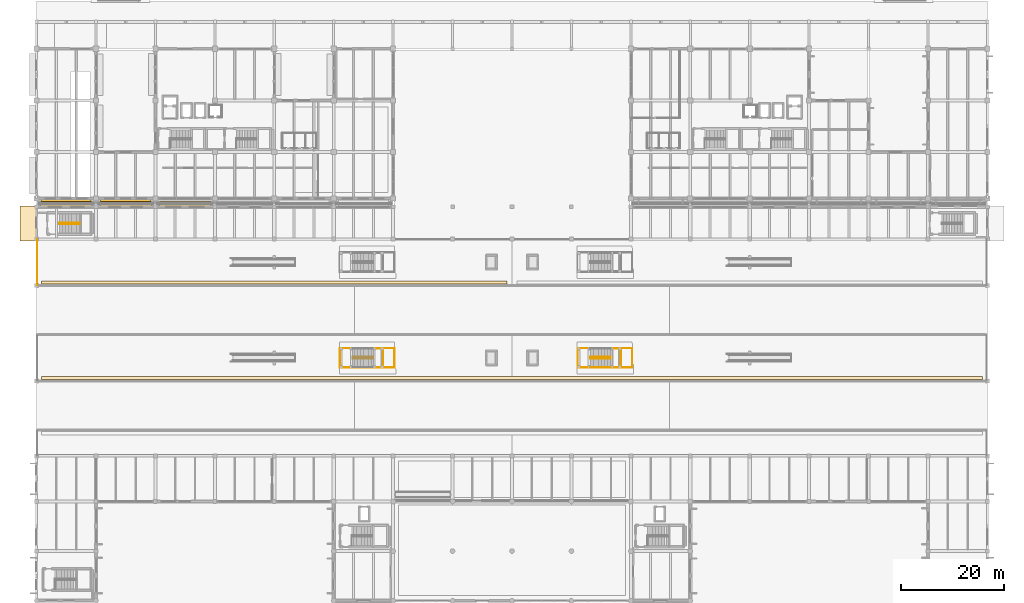
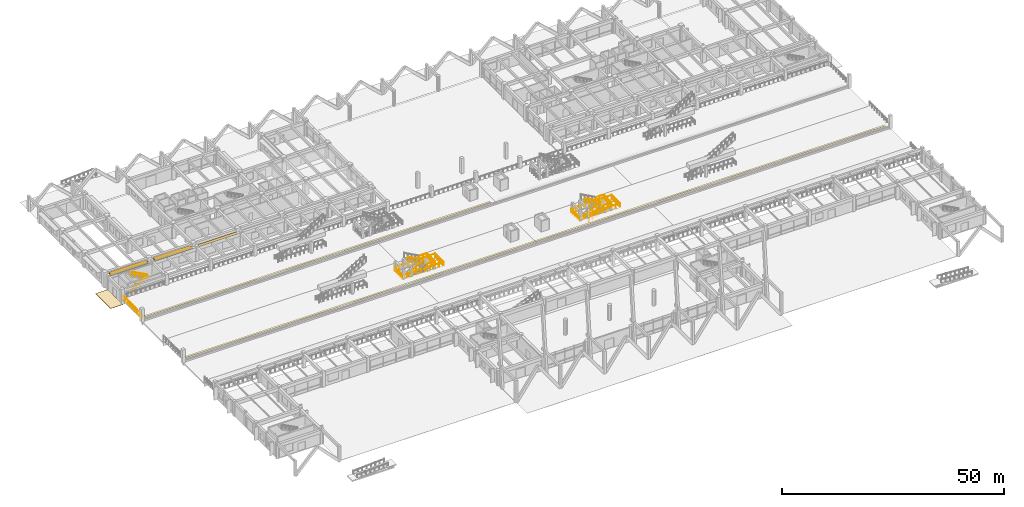
# One storey, part 101 of 109: 13 railings, 5 shading devices, 3 coverings.
"""IFC4 building model written with IfcOpenShell, lengths in metres."""

import ifcopenshell
import ifcopenshell.guid

model = None  # the IFC model being written
_history = None  # IfcOwnerHistory: only IFC2X3 demands one
_inside = {}  # id of a spatial element -> (the spatial element, [elements in it])
_under = {}  # id of a project, library or spatial element -> (it, [spatial elements below it])
_declared = {}  # id of a project -> (the project, [libraries it declares])
_typed = {}  # id of a type object -> (the type object, [elements of that type])
_made_of = {}  # id of a material, layer set ... -> (it, [elements and type objects made of it])


def new_model(schema):
    """Start an empty IFC model of exactly this schema.

    Asked for "IFC4X3", IfcOpenShell would pick the latest addendum, in which some entities
    have other attributes; the version numbers below select the first issue.
    IFC2X3 requires an IfcOwnerHistory on every rooted entity: one is made here for all.
    """
    global model, _history
    if schema == "IFC4X3":
        model = ifcopenshell.file(schema_version=(4, 3, 0, 0))
    else:
        model = ifcopenshell.file(schema=schema)
    _inside.clear()
    _under.clear()
    _declared.clear()
    _typed.clear()
    _made_of.clear()
    _history = None
    if model.schema == "IFC2X3":
        org = make("IfcOrganization", Name="unknown")
        user = make(
            "IfcPersonAndOrganization",
            ThePerson=make("IfcPerson", FamilyName="unknown"),
            TheOrganization=org,
        )
        app = make(
            "IfcApplication",
            ApplicationDeveloper=org,
            Version="unknown",
            ApplicationFullName="unknown",
            ApplicationIdentifier="unknown",
        )
        _history = make(
            "IfcOwnerHistory",
            OwningUser=user,
            OwningApplication=app,
            ChangeAction="ADDED",
            CreationDate=0,
        )
    return model


def make(cls, **values):
    """One entity of the class cls with the attributes given. An attribute that is None is left unset."""
    return model.create_entity(
        cls, **{name: value for name, value in values.items() if value is not None}
    )


def rooted(cls, **values):
    """An entity with a GlobalId (a new one), such as an element, a storey or a relation."""
    return make(cls, GlobalId=ifcopenshell.guid.new(), OwnerHistory=_history, **values)


def si_unit(unit_type, name, prefix=None):
    """IfcSIUnit, for example si_unit("LENGTHUNIT", "METRE", prefix="MILLI")."""
    return make("IfcSIUnit", UnitType=unit_type, Prefix=prefix, Name=name)


def assignment(units):
    """IfcUnitAssignment: the units of a project."""
    return None if units is None else make("IfcUnitAssignment", Units=units)


def point(xyz):
    """IfcCartesianPoint."""
    return None if xyz is None else make("IfcCartesianPoint", Coordinates=xyz)


def direction(xyz):
    """IfcDirection."""
    return None if xyz is None else make("IfcDirection", DirectionRatios=xyz)


def frame(location, z_axis=None, x_axis=None):
    """IfcAxis2Placement3D, a coordinate frame: its origin and axes. An axis left out is left unset."""
    return make(
        "IfcAxis2Placement3D",
        Location=point(location),
        Axis=direction(z_axis),
        RefDirection=direction(x_axis),
    )


def frame_2d(location, x_axis=None):
    """IfcAxis2Placement2D, a coordinate frame in the plane: its origin and x axis."""
    return make(
        "IfcAxis2Placement2D", Location=point(location), RefDirection=direction(x_axis)
    )


def origin():
    """The frame at (0, 0, 0) with its axes left unset."""
    return frame((0.0, 0.0, 0.0))


def origin_2d():
    """The frame at (0, 0) in the plane with its x axis left unset."""
    return frame_2d((0.0, 0.0))


def place(relative_to, where):
    """IfcLocalPlacement: puts the frame where relative to a parent placement (None: the world)."""
    return make(
        "IfcLocalPlacement", PlacementRelTo=relative_to, RelativePlacement=where
    )


def context(
    kind, dimensions, precision=None, world=None, true_north=None, identifier=None
):
    """IfcGeometricRepresentationContext, for example the 3D "Model" context."""
    return make(
        "IfcGeometricRepresentationContext",
        ContextIdentifier=identifier,
        ContextType=kind,
        CoordinateSpaceDimension=dimensions,
        Precision=precision,
        WorldCoordinateSystem=world,
        TrueNorth=true_north,
    )


def subcontext(parent, identifier, kind, view, scale=None):
    """IfcGeometricRepresentationSubContext, for example "Body" below "Model"."""
    return make(
        "IfcGeometricRepresentationSubContext",
        ContextIdentifier=identifier,
        ContextType=kind,
        ParentContext=parent,
        TargetScale=scale,
        TargetView=view,
    )


def project(units=None, contexts=None):
    """IfcProject with its units and contexts."""
    return rooted(
        "IfcProject",
        Name="project",
        RepresentationContexts=contexts,
        UnitsInContext=assignment(units),
    )


def spatial(cls, under=None, at=None, **own):
    """A site, building, storey or space (cls), placed at a placement, below another one or the project."""
    s = rooted(cls, ObjectPlacement=at, **own)
    if under is not None:
        _under.setdefault(under.id(), (under, []))[1].append(s)
    return s


def polyline(points):
    """IfcPolyline through the points."""
    return make("IfcPolyline", Points=[point(p) for p in points])


def profile(cls, at=None, kind="AREA", **sizes):
    """A parametric profile (cls). Its sizes go by their IFC names, for example OverallWidth=200.0."""
    return make(cls, ProfileType=kind, Position=at, **sizes)


def rectangle(**sizes):
    """IfcRectangleProfileDef."""
    return profile("IfcRectangleProfileDef", **sizes)


def circle(**sizes):
    """IfcCircleProfileDef."""
    return profile("IfcCircleProfileDef", **sizes)


def outline(outer, holes=None, kind="AREA"):
    """IfcArbitraryClosedProfileDef: a profile drawn as a closed curve; with holes, ...WithVoids."""
    if holes is None:
        return make("IfcArbitraryClosedProfileDef", ProfileType=kind, OuterCurve=outer)
    return make(
        "IfcArbitraryProfileDefWithVoids",
        ProfileType=kind,
        OuterCurve=outer,
        InnerCurves=holes,
    )


def extrude(swept, where, along, depth):
    """IfcExtrudedAreaSolid: the profile swept, set in the frame where, extruded along a direction by depth."""
    return make(
        "IfcExtrudedAreaSolid",
        SweptArea=swept,
        Position=where,
        ExtrudedDirection=direction(along),
        Depth=depth,
    )


def shape(context_of_items, identifier, shape_type, items):
    """IfcShapeRepresentation: the items that make up one representation, for example the "Body"."""
    return make(
        "IfcShapeRepresentation",
        ContextOfItems=context_of_items,
        RepresentationIdentifier=identifier,
        RepresentationType=shape_type,
        Items=items,
    )


def material(Name=None, Category=None):
    """IfcMaterial."""
    return make("IfcMaterial", Name=Name, Category=Category)


def layer(
    of_material, thickness, ventilated=None, Name=None, Category=None, Priority=None
):
    """IfcMaterialLayer: one layer of a wall or slab, of a material (None: an air gap)."""
    return make(
        "IfcMaterialLayer",
        Material=of_material,
        LayerThickness=thickness,
        IsVentilated=ventilated,
        Name=Name,
        Category=Category,
        Priority=Priority,
    )


def layer_set(layers, Name=None):
    """IfcMaterialLayerSet."""
    return make("IfcMaterialLayerSet", MaterialLayers=layers, LayerSetName=Name)


def made_of(thing, what):
    """Note that an element or type object is made of a material, layer set ...; save() writes the relation."""
    if what is not None:
        _made_of.setdefault(what.id(), (what, []))[1].append(thing)
    return thing


def type_object(cls, material=None, **own):
    """A type object (cls), such as IfcWallType, which elements share."""
    return made_of(rooted(cls, **own), material)


def element(
    cls,
    number,
    at=None,
    inside=None,
    cuts=None,
    type_object=None,
    material=None,
    context=None,
    identifier="Body",
    shape_type=None,
    held_by="IfcProductDefinitionShape",
    body=None,
    shapes=None,
    **own,
):
    """One element of the class cls, such as IfcWall. Its Tag is "e" and its number.

    at: its placement. inside: the storey or other place that contains it. cuts: it is an
    opening in that element (IfcRelVoidsElement). A single representation is given by context,
    identifier, shape_type and body (its items); several are given by shapes. held_by: the class
    of the entity that holds the representations. save() writes the other relations.
    """
    e = rooted(cls, Tag="e%d" % number, ObjectPlacement=at, **own)
    if body is not None:
        shapes = [shape(context, identifier, shape_type, body)]
    if shapes is not None:
        e.Representation = make(held_by, Representations=shapes)
    if inside is not None:
        _inside.setdefault(inside.id(), (inside, []))[1].append(e)
    if cuts is not None:
        rooted(
            "IfcRelVoidsElement", RelatingBuildingElement=cuts, RelatedOpeningElement=e
        )
    if type_object is not None:
        _typed.setdefault(type_object.id(), (type_object, []))[1].append(e)
    return made_of(e, material)


def aggregate(whole, parts):
    """IfcRelAggregates: a whole, such as a stair, and the parts it consists of."""
    return rooted("IfcRelAggregates", RelatingObject=whole, RelatedObjects=parts)


def save(model, path):
    """Write the relations noted so far, then the file.

    IfcRelAggregates (storeys below a building ...), IfcRelContainedInSpatialStructure (elements
    in a storey), IfcRelDefinesByType, IfcRelAssociatesMaterial and IfcRelDeclares: one each for
    every whole, place, type object, material and project.
    """
    for whole, parts in _under.values():
        aggregate(whole, parts)
    for where, things in _inside.values():
        rooted(
            "IfcRelContainedInSpatialStructure",
            RelatedElements=things,
            RelatingStructure=where,
        )
    for kind, things in _typed.values():
        rooted("IfcRelDefinesByType", RelatedObjects=things, RelatingType=kind)
    for what, things in _made_of.values():
        rooted("IfcRelAssociatesMaterial", RelatedObjects=things, RelatingMaterial=what)
    for by, libraries in _declared.values():
        rooted("IfcRelDeclares", RelatingContext=by, RelatedDefinitions=libraries)
    model.write(path)


model = new_model("IFC4")

# Units and contexts
model_context = context("Model", 3, precision=1e-05, world=origin(), true_north=direction((0.0, 1.0)))
body_context = subcontext(model_context, "Body", "Model", "MODEL_VIEW")
ifc_project = project(units=[si_unit("LENGTHUNIT", "METRE"), si_unit("AREAUNIT", "SQUARE_METRE"), si_unit("VOLUMEUNIT", "CUBIC_METRE"), si_unit("PLANEANGLEUNIT", "RADIAN"), si_unit("MASSUNIT", "GRAM", prefix="KILO")], contexts=[model_context])

# Site, building, storey
site_placement = place(None, origin())
site = spatial("IfcSite", under=ifc_project, at=site_placement, CompositionType="ELEMENT")
building_placement = place(site_placement, origin())
building = spatial("IfcBuilding", under=site, at=building_placement, Name="Ologun Quay Terminus", CompositionType="ELEMENT")
storey_placement = place(building_placement, origin())
storey = spatial("IfcBuildingStorey", under=building, at=storey_placement, Name="L00", CompositionType="ELEMENT", Elevation=0.0)

# Shading devices
ifc_material_1 = material(Name="Aluminium 6063-T6", Category="aluminium")
ifc_layer_1 = layer(ifc_material_1, 0.10009765625)
ifc_layer_set_1 = layer_set([ifc_layer_1], Name="Aluminium 6063-T6")
shading_device_type_1 = type_object("IfcShadingDeviceType", Name="Deep Waterfront Brise-Soleil Blade 1200", PredefinedType="JALOUSIE", material=ifc_layer_set_1)
for number, where, z_axis, x_axis, name in (
    (1, (5.75, 85.070068359375, 3.530029296875), (0.0, 0.0, 1.0), (1.0, 0.0, 0.0), "SD-02 Sun-Hood WEW-WW-O-L00-1"),
    (2, (17.25, 85.070068359375, 3.530029296875), (0.0, 0.0, 1.0), (1.0, 0.0, 0.0), "SD-02 Sun-Hood WEW-WW-O-L00-2"),
):
    element("IfcShadingDevice", number, at=place(storey_placement, frame(where, z_axis=z_axis, x_axis=x_axis)), inside=storey, type_object=shading_device_type_1, Name=name, PredefinedType="JALOUSIE", context=body_context, shape_type="SweptSolid", body=[
        extrude(rectangle(XDim=9.659912109375, YDim=1.199951171875, at=origin_2d()), origin(), (0.0, 0.0, 1.0), 0.10009765625),
    ])
ifc_material_2 = material(Name="Aluminium 6063-T6", Category="aluminium")
ifc_layer_2 = layer(ifc_material_2, 0.080078125)
ifc_layer_set_2 = layer_set([ifc_layer_2], Name="Aluminium 6063-T6")
shading_device_type_2 = type_object("IfcShadingDeviceType", Name="Horizontal Extruded Aluminium Sun Louvre 900", PredefinedType="JALOUSIE", material=ifc_layer_set_2)
for number, where, z_axis, x_axis, name in (
    (3, (5.75, 84.780029296875, 3.4599609375), (0.0, 0.0, 1.0), (1.0, 0.0, 0.0), "SD-01 Sun-Hood WEW-NGW-L00-01"),
    (4, (17.25, 84.780029296875, 3.4599609375), (0.0, 0.0, 1.0), (1.0, 0.0, 0.0), "SD-01 Sun-Hood WEW-NGW-L00-02"),
    (5, (28.75, 84.780029296875, 3.4599609375), (0.0, 0.0, 1.0), (1.0, 0.0, 0.0), "SD-01 Sun-Hood WEW-NGW-L00-03"),
):
    element("IfcShadingDevice", number, at=place(storey_placement, frame(where, z_axis=z_axis, x_axis=x_axis)), inside=storey, type_object=shading_device_type_2, Name=name, PredefinedType="JALOUSIE", context=body_context, shape_type="SweptSolid", body=[
        extrude(rectangle(XDim=9.9599609375, YDim=0.89990234375, at=origin_2d()), origin(), (0.0, 0.0, 1.0), 0.080078125),
    ])

# Coverings
ifc_material_3 = material(Name="Precast Concrete C40/50", Category="concrete")
ifc_layer_3 = layer(ifc_material_3, 0.02490234375)
ifc_layer_set_3 = layer_set([ifc_layer_3], Name="Precast Concrete C40/50")
covering_type_1 = type_object("IfcCoveringType", Name="Platform Tactile Blister Warning Strip 25", PredefinedType="USERDEFINED", material=ifc_layer_set_3)
covering_1_placement = place(storey_placement, frame((0.0, 0.0, 1.25)))
element("IfcCovering", 6, at=covering_1_placement, inside=storey, type_object=covering_type_1, Name="CV-TAC Platform Tactile Warning Strip P1", ObjectType="PAVING", PredefinedType="USERDEFINED", context=body_context, shape_type="SweptSolid", body=[
    extrude(outline(polyline([(1.0, 50.800048828125), (183.0, 50.800048828125), (183.0, 51.39990234375), (1.0, 51.39990234375), (1.0, 50.800048828125)])), origin(), (0.0, 0.0, 1.0), 0.02490234375),
])
covering_2_placement = place(storey_placement, frame((0.0, 0.0, 1.25)))
element("IfcCovering", 7, at=covering_2_placement, inside=storey, type_object=covering_type_1, Name="CV-TAC Platform Tactile Warning Strip P2", ObjectType="PAVING", PredefinedType="USERDEFINED", context=body_context, shape_type="SweptSolid", body=[
    extrude(outline(polyline([(1.0, 69.300048828125), (91.0, 69.300048828125), (91.0, 69.89990234375), (1.0, 69.89990234375), (1.0, 69.300048828125)])), origin(), (0.0, 0.0, 1.0), 0.02490234375),
])
ifc_material_4 = material(Name="Granite Stone", Category="masonry")
ifc_layer_4 = layer(ifc_material_4, 0.06005859375)
ifc_layer_set_4 = layer_set([ifc_layer_4], Name="Granite Stone")
covering_type_2 = type_object("IfcCoveringType", Name="Quay & Forecourt Bush-Hammered Granite Paving 60", PredefinedType="USERDEFINED", material=ifc_layer_set_4)
covering_3_placement = place(storey_placement, frame((0.0, 0.0, -0.06005859375)))
element("IfcCovering", 8, at=covering_3_placement, inside=storey, type_object=covering_type_2, Name="CV-PVG Exterior Granite Paving EXIT-NGW", ObjectType="PAVING", PredefinedType="USERDEFINED", context=body_context, shape_type="SweptSolid", body=[
    extrude(outline(polyline([(-3.199951171875, 77.60009765625), (0.0, 77.60009765625), (0.0, 84.39990234375), (-3.199951171875, 84.39990234375), (-3.199951171875, 77.60009765625)])), origin(), (0.0, 0.0, 1.0), 0.06005859375),
])

# Railings
ifc_material_5 = material(Name="Steel S355", Category="steel")
railing_type_1 = type_object("IfcRailingType", Name="Stair & Landing Steel Guardrail 1100", PredefinedType="GUARDRAIL", material=ifc_material_5)
railing_1_placement = place(storey_placement, frame((4.39990234375, 80.89990234375, 0.0)))
element("IfcRailing", 9, at=railing_1_placement, inside=storey, type_object=railing_type_1, Name="GR-ST Stair Inner Well Guard ST-NG1 L00", PredefinedType="GUARDRAIL", context=body_context, shape_type="SweptSolid", body=[
    extrude(circle(Radius=0.02392578125, at=origin_2d()), frame((0.0, 0.0, 1.076171875), z_axis=(0.881979573659, 0.0, 0.471287631545), x_axis=(0.0, 1.0, 0.0)), (0.0, 0.0, 1.0), 4.4560546875),
    extrude(circle(Radius=0.02392578125, at=origin_2d()), frame((3.93017578125, 0.0, 3.17626953125), z_axis=(0.0, 1.0, 0.0), x_axis=(-1.0, 0.0, 0.0)), (0.0, 0.0, 1.0), 0.2001953125),
    extrude(circle(Radius=0.02392578125, at=origin_2d()), frame((3.93017578125, 0.2001953125, 3.17626953125), z_axis=(-0.882002346791, 0.0, 0.471245010855), x_axis=(0.0, -1.0, 0.0)), (0.0, 0.0, 1.0), 4.4560546875),
    extrude(circle(Radius=0.02099609375, at=origin_2d()), origin(), (0.0, 0.0, 1.0), 1.052001953125),
    extrude(circle(Radius=0.02099609375, at=origin_2d()), frame((0.982421875, 0.0, 0.52490234375)), (0.0, 0.0, 1.0), 1.052001953125),
    extrude(circle(Radius=0.02099609375, at=origin_2d()), frame((1.965087890625, 0.0, 1.050048828125)), (0.0, 0.0, 1.0), 1.052001953125),
    extrude(circle(Radius=0.02099609375, at=origin_2d()), frame((2.94775390625, 0.0, 1.5751953125)), (0.0, 0.0, 1.0), 1.052001953125),
    extrude(circle(Radius=0.02099609375, at=origin_2d()), frame((3.93017578125, 0.0, 2.10009765625)), (0.0, 0.0, 1.0), 1.052001953125),
    extrude(circle(Radius=0.02099609375, at=origin_2d()), frame((3.93017578125, 0.2001953125, 2.10009765625)), (0.0, 0.0, 1.0), 1.052001953125),
    extrude(circle(Radius=0.02099609375, at=origin_2d()), frame((2.94775390625, 0.2001953125, 2.625)), (0.0, 0.0, 1.0), 1.052001953125),
    extrude(circle(Radius=0.02099609375, at=origin_2d()), frame((1.965087890625, 0.2001953125, 3.14990234375)), (0.0, 0.0, 1.0), 1.052001953125),
    extrude(circle(Radius=0.02099609375, at=origin_2d()), frame((0.982421875, 0.2001953125, 3.675048828125)), (0.0, 0.0, 1.0), 1.052001953125),
    extrude(circle(Radius=0.02099609375, at=origin_2d()), frame((0.0, 0.2001953125, 4.199951171875)), (0.0, 0.0, 1.0), 1.052001953125),
])
railing_2_placement = place(storey_placement, frame((61.199951171875, 54.85009765625, 0.0)))
element("IfcRailing", 10, at=railing_2_placement, inside=storey, type_object=railing_type_1, Name="GR-ST Stair Inner Well Guard ST-P1 L00", PredefinedType="GUARDRAIL", context=body_context, shape_type="SweptSolid", body=[
    extrude(circle(Radius=0.02392578125, at=origin_2d()), frame((0.0, 0.0, 1.076171875), z_axis=(0.881967403671, 0.0, 0.471310406062), x_axis=(0.0, 1.0, 0.0)), (0.0, 0.0, 1.0), 4.455810546875),
    extrude(circle(Radius=0.02392578125, at=origin_2d()), frame((3.929931640625, 0.0, 3.17626953125), z_axis=(0.0, 1.0, 0.0), x_axis=(-1.0, 0.0, 0.0)), (0.0, 0.0, 1.0), 0.2998046875),
    extrude(circle(Radius=0.02392578125, at=origin_2d()), frame((3.929931640625, 0.2998046875, 3.17626953125), z_axis=(-0.881990178689, 0.0, 0.471267784488), x_axis=(0.0, -1.0, 0.0)), (0.0, 0.0, 1.0), 4.455810546875),
    extrude(circle(Radius=0.02099609375, at=origin_2d()), origin(), (0.0, 0.0, 1.0), 1.052001953125),
    extrude(circle(Radius=0.02099609375, at=origin_2d()), frame((0.982421875, 0.0, 0.52490234375)), (0.0, 0.0, 1.0), 1.052001953125),
    extrude(circle(Radius=0.02099609375, at=origin_2d()), frame((1.96484375, 0.0, 1.050048828125)), (0.0, 0.0, 1.0), 1.052001953125),
    extrude(circle(Radius=0.02099609375, at=origin_2d()), frame((2.947509765625, 0.0, 1.5751953125)), (0.0, 0.0, 1.0), 1.052001953125),
    extrude(circle(Radius=0.02099609375, at=origin_2d()), frame((3.929931640625, 0.0, 2.10009765625)), (0.0, 0.0, 1.0), 1.052001953125),
    extrude(circle(Radius=0.02099609375, at=origin_2d()), frame((3.929931640625, 0.2998046875, 2.10009765625)), (0.0, 0.0, 1.0), 1.052001953125),
    extrude(circle(Radius=0.02099609375, at=origin_2d()), frame((2.947509765625, 0.2998046875, 2.625)), (0.0, 0.0, 1.0), 1.052001953125),
    extrude(circle(Radius=0.02099609375, at=origin_2d()), frame((1.96484375, 0.2998046875, 3.14990234375)), (0.0, 0.0, 1.0), 1.052001953125),
    extrude(circle(Radius=0.02099609375, at=origin_2d()), frame((0.982421875, 0.2998046875, 3.675048828125)), (0.0, 0.0, 1.0), 1.052001953125),
    extrude(circle(Radius=0.02099609375, at=origin_2d()), frame((0.0, 0.2998046875, 4.199951171875)), (0.0, 0.0, 1.0), 1.052001953125),
])
railing_3_placement = place(storey_placement, frame((58.719970703125, 56.800048828125, 1.25)))
element("IfcRailing", 11, at=railing_3_placement, inside=storey, type_object=railing_type_1, Name="GR-ST Platform Pocket Guard ST-P1 L00", PredefinedType="GUARDRAIL", context=body_context, shape_type="SweptSolid", body=[
    extrude(circle(Radius=0.02392578125, at=origin_2d()), frame((0.0, 0.0, 1.076171875), z_axis=(0.0, -1.0, 0.0), x_axis=(1.0, 0.0, 0.0)), (0.0, 0.0, 1.0), 3.679931640625),
    extrude(circle(Radius=0.02392578125, at=origin_2d()), frame((0.0, -3.679931640625, 1.076171875), z_axis=(1.0, 0.0, 0.0), x_axis=(0.0, 1.0, 0.0)), (0.0, 0.0, 1.0), 10.56005859375),
    extrude(circle(Radius=0.02392578125, at=origin_2d()), frame((10.56005859375, -3.679931640625, 1.076171875), z_axis=(0.0, 1.0, 0.0), x_axis=(-1.0, 0.0, 0.0)), (0.0, 0.0, 1.0), 3.759765625),
    extrude(circle(Radius=0.02392578125, at=origin_2d()), frame((10.56005859375, 0.079833984375, 1.076171875), z_axis=(-1.0, 0.0, 0.0), x_axis=(0.0, -1.0, 0.0)), (0.0, 0.0, 1.0), 10.47998046875),
    extrude(circle(Radius=0.02099609375, at=origin_2d()), origin(), (0.0, 0.0, 1.0), 1.052001953125),
    extrude(circle(Radius=0.02099609375, at=origin_2d()), frame((0.0, -0.919921875, 0.0)), (0.0, 0.0, 1.0), 1.052001953125),
    extrude(circle(Radius=0.02099609375, at=origin_2d()), frame((0.0, -1.83984375, 0.0)), (0.0, 0.0, 1.0), 1.052001953125),
    extrude(circle(Radius=0.02099609375, at=origin_2d()), frame((0.0, -2.760009765625, 0.0)), (0.0, 0.0, 1.0), 1.052001953125),
    extrude(circle(Radius=0.02099609375, at=origin_2d()), frame((0.0, -3.679931640625, 0.0)), (0.0, 0.0, 1.0), 1.052001953125),
    extrude(circle(Radius=0.02099609375, at=origin_2d()), frame((1.17333984375, -3.679931640625, 0.0)), (0.0, 0.0, 1.0), 1.052001953125),
    extrude(circle(Radius=0.02099609375, at=origin_2d()), frame((2.3466796875, -3.679931640625, 0.0)), (0.0, 0.0, 1.0), 1.052001953125),
    extrude(circle(Radius=0.02099609375, at=origin_2d()), frame((3.52001953125, -3.679931640625, 0.0)), (0.0, 0.0, 1.0), 1.052001953125),
    extrude(circle(Radius=0.02099609375, at=origin_2d()), frame((4.693359375, -3.679931640625, 0.0)), (0.0, 0.0, 1.0), 1.052001953125),
    extrude(circle(Radius=0.02099609375, at=origin_2d()), frame((5.86669921875, -3.679931640625, 0.0)), (0.0, 0.0, 1.0), 1.052001953125),
    extrude(circle(Radius=0.02099609375, at=origin_2d()), frame((7.0400390625, -3.679931640625, 0.0)), (0.0, 0.0, 1.0), 1.052001953125),
    extrude(circle(Radius=0.02099609375, at=origin_2d()), frame((8.21337890625, -3.679931640625, 0.0)), (0.0, 0.0, 1.0), 1.052001953125),
    extrude(circle(Radius=0.02099609375, at=origin_2d()), frame((9.38671875, -3.679931640625, 0.0)), (0.0, 0.0, 1.0), 1.052001953125),
    extrude(circle(Radius=0.02099609375, at=origin_2d()), frame((10.56005859375, -3.679931640625, 0.0)), (0.0, 0.0, 1.0), 1.052001953125),
    extrude(circle(Radius=0.02099609375, at=origin_2d()), frame((10.56005859375, -2.739990234375, 0.0)), (0.0, 0.0, 1.0), 1.052001953125),
    extrude(circle(Radius=0.02099609375, at=origin_2d()), frame((10.56005859375, -1.800048828125, 0.0)), (0.0, 0.0, 1.0), 1.052001953125),
    extrude(circle(Radius=0.02099609375, at=origin_2d()), frame((10.56005859375, -0.860107421875, 0.0)), (0.0, 0.0, 1.0), 1.052001953125),
    extrude(circle(Radius=0.02099609375, at=origin_2d()), frame((10.56005859375, 0.079833984375, 0.0)), (0.0, 0.0, 1.0), 1.052001953125),
    extrude(circle(Radius=0.02099609375, at=origin_2d()), frame((9.3955078125, 0.079833984375, 0.0)), (0.0, 0.0, 1.0), 1.052001953125),
    extrude(circle(Radius=0.02099609375, at=origin_2d()), frame((8.231201171875, 0.079833984375, 0.0)), (0.0, 0.0, 1.0), 1.052001953125),
    extrude(circle(Radius=0.02099609375, at=origin_2d()), frame((7.066650390625, 0.079833984375, 0.0)), (0.0, 0.0, 1.0), 1.052001953125),
    extrude(circle(Radius=0.02099609375, at=origin_2d()), frame((5.90234375, 0.079833984375, 0.0)), (0.0, 0.0, 1.0), 1.052001953125),
    extrude(circle(Radius=0.02099609375, at=origin_2d()), frame((4.73779296875, 0.079833984375, 0.0)), (0.0, 0.0, 1.0), 1.052001953125),
    extrude(circle(Radius=0.02099609375, at=origin_2d()), frame((3.573486328125, 0.079833984375, 0.0)), (0.0, 0.0, 1.0), 1.052001953125),
    extrude(circle(Radius=0.02099609375, at=origin_2d()), frame((2.408935546875, 0.079833984375, 0.0)), (0.0, 0.0, 1.0), 1.052001953125),
    extrude(circle(Radius=0.02099609375, at=origin_2d()), frame((1.24462890625, 0.079833984375, 0.0)), (0.0, 0.0, 1.0), 1.052001953125),
    extrude(circle(Radius=0.02099609375, at=origin_2d()), frame((0.080078125, 0.079833984375, 0.0)), (0.0, 0.0, 1.0), 1.052001953125),
])
railing_4_placement = place(storey_placement, frame((107.199951171875, 54.85009765625, 0.0)))
element("IfcRailing", 12, at=railing_4_placement, inside=storey, type_object=railing_type_1, Name="GR-ST Stair Inner Well Guard ST-P2 L00", PredefinedType="GUARDRAIL", context=body_context, shape_type="SweptSolid", body=[
    extrude(circle(Radius=0.02392578125, at=origin_2d()), frame((0.0, 0.0, 1.076171875), z_axis=(0.881967403671, 0.0, 0.471310406062), x_axis=(0.0, 1.0, 0.0)), (0.0, 0.0, 1.0), 4.455810546875),
    extrude(circle(Radius=0.02392578125, at=origin_2d()), frame((3.929931640625, 0.0, 3.17626953125), z_axis=(0.0, 1.0, 0.0), x_axis=(-1.0, 0.0, 0.0)), (0.0, 0.0, 1.0), 0.2998046875),
    extrude(circle(Radius=0.02392578125, at=origin_2d()), frame((3.929931640625, 0.2998046875, 3.17626953125), z_axis=(-0.881990178689, 0.0, 0.471267784488), x_axis=(0.0, -1.0, 0.0)), (0.0, 0.0, 1.0), 4.455810546875),
    extrude(circle(Radius=0.02099609375, at=origin_2d()), origin(), (0.0, 0.0, 1.0), 1.052001953125),
    extrude(circle(Radius=0.02099609375, at=origin_2d()), frame((0.982421875, 0.0, 0.52490234375)), (0.0, 0.0, 1.0), 1.052001953125),
    extrude(circle(Radius=0.02099609375, at=origin_2d()), frame((1.96484375, 0.0, 1.050048828125)), (0.0, 0.0, 1.0), 1.052001953125),
    extrude(circle(Radius=0.02099609375, at=origin_2d()), frame((2.947509765625, 0.0, 1.5751953125)), (0.0, 0.0, 1.0), 1.052001953125),
    extrude(circle(Radius=0.02099609375, at=origin_2d()), frame((3.929931640625, 0.0, 2.10009765625)), (0.0, 0.0, 1.0), 1.052001953125),
    extrude(circle(Radius=0.02099609375, at=origin_2d()), frame((3.929931640625, 0.2998046875, 2.10009765625)), (0.0, 0.0, 1.0), 1.052001953125),
    extrude(circle(Radius=0.02099609375, at=origin_2d()), frame((2.947509765625, 0.2998046875, 2.625)), (0.0, 0.0, 1.0), 1.052001953125),
    extrude(circle(Radius=0.02099609375, at=origin_2d()), frame((1.96484375, 0.2998046875, 3.14990234375)), (0.0, 0.0, 1.0), 1.052001953125),
    extrude(circle(Radius=0.02099609375, at=origin_2d()), frame((0.982421875, 0.2998046875, 3.675048828125)), (0.0, 0.0, 1.0), 1.052001953125),
    extrude(circle(Radius=0.02099609375, at=origin_2d()), frame((0.0, 0.2998046875, 4.199951171875)), (0.0, 0.0, 1.0), 1.052001953125),
])
railing_5_placement = place(storey_placement, frame((104.719970703125, 56.800048828125, 1.25)))
element("IfcRailing", 13, at=railing_5_placement, inside=storey, type_object=railing_type_1, Name="GR-ST Platform Pocket Guard ST-P2 L00", PredefinedType="GUARDRAIL", context=body_context, shape_type="SweptSolid", body=[
    extrude(circle(Radius=0.02392578125, at=origin_2d()), frame((0.0, 0.0, 1.076171875), z_axis=(0.0, -1.0, 0.0), x_axis=(1.0, 0.0, 0.0)), (0.0, 0.0, 1.0), 3.679931640625),
    extrude(circle(Radius=0.02392578125, at=origin_2d()), frame((0.0, -3.679931640625, 1.076171875), z_axis=(1.0, 0.0, 0.0), x_axis=(0.0, 1.0, 0.0)), (0.0, 0.0, 1.0), 10.56005859375),
    extrude(circle(Radius=0.02392578125, at=origin_2d()), frame((10.56005859375, -3.679931640625, 1.076171875), z_axis=(0.0, 1.0, 0.0), x_axis=(-1.0, 0.0, 0.0)), (0.0, 0.0, 1.0), 3.759765625),
    extrude(circle(Radius=0.02392578125, at=origin_2d()), frame((10.56005859375, 0.079833984375, 1.076171875), z_axis=(-1.0, 0.0, 0.0), x_axis=(0.0, -1.0, 0.0)), (0.0, 0.0, 1.0), 10.47998046875),
    extrude(circle(Radius=0.02099609375, at=origin_2d()), origin(), (0.0, 0.0, 1.0), 1.052001953125),
    extrude(circle(Radius=0.02099609375, at=origin_2d()), frame((0.0, -0.919921875, 0.0)), (0.0, 0.0, 1.0), 1.052001953125),
    extrude(circle(Radius=0.02099609375, at=origin_2d()), frame((0.0, -1.83984375, 0.0)), (0.0, 0.0, 1.0), 1.052001953125),
    extrude(circle(Radius=0.02099609375, at=origin_2d()), frame((0.0, -2.760009765625, 0.0)), (0.0, 0.0, 1.0), 1.052001953125),
    extrude(circle(Radius=0.02099609375, at=origin_2d()), frame((0.0, -3.679931640625, 0.0)), (0.0, 0.0, 1.0), 1.052001953125),
    extrude(circle(Radius=0.02099609375, at=origin_2d()), frame((1.17333984375, -3.679931640625, 0.0)), (0.0, 0.0, 1.0), 1.052001953125),
    extrude(circle(Radius=0.02099609375, at=origin_2d()), frame((2.3466796875, -3.679931640625, 0.0)), (0.0, 0.0, 1.0), 1.052001953125),
    extrude(circle(Radius=0.02099609375, at=origin_2d()), frame((3.52001953125, -3.679931640625, 0.0)), (0.0, 0.0, 1.0), 1.052001953125),
    extrude(circle(Radius=0.02099609375, at=origin_2d()), frame((4.693359375, -3.679931640625, 0.0)), (0.0, 0.0, 1.0), 1.052001953125),
    extrude(circle(Radius=0.02099609375, at=origin_2d()), frame((5.86669921875, -3.679931640625, 0.0)), (0.0, 0.0, 1.0), 1.052001953125),
    extrude(circle(Radius=0.02099609375, at=origin_2d()), frame((7.0400390625, -3.679931640625, 0.0)), (0.0, 0.0, 1.0), 1.052001953125),
    extrude(circle(Radius=0.02099609375, at=origin_2d()), frame((8.21337890625, -3.679931640625, 0.0)), (0.0, 0.0, 1.0), 1.052001953125),
    extrude(circle(Radius=0.02099609375, at=origin_2d()), frame((9.38671875, -3.679931640625, 0.0)), (0.0, 0.0, 1.0), 1.052001953125),
    extrude(circle(Radius=0.02099609375, at=origin_2d()), frame((10.56005859375, -3.679931640625, 0.0)), (0.0, 0.0, 1.0), 1.052001953125),
    extrude(circle(Radius=0.02099609375, at=origin_2d()), frame((10.56005859375, -2.739990234375, 0.0)), (0.0, 0.0, 1.0), 1.052001953125),
    extrude(circle(Radius=0.02099609375, at=origin_2d()), frame((10.56005859375, -1.800048828125, 0.0)), (0.0, 0.0, 1.0), 1.052001953125),
    extrude(circle(Radius=0.02099609375, at=origin_2d()), frame((10.56005859375, -0.860107421875, 0.0)), (0.0, 0.0, 1.0), 1.052001953125),
    extrude(circle(Radius=0.02099609375, at=origin_2d()), frame((10.56005859375, 0.079833984375, 0.0)), (0.0, 0.0, 1.0), 1.052001953125),
    extrude(circle(Radius=0.02099609375, at=origin_2d()), frame((9.3955078125, 0.079833984375, 0.0)), (0.0, 0.0, 1.0), 1.052001953125),
    extrude(circle(Radius=0.02099609375, at=origin_2d()), frame((8.231201171875, 0.079833984375, 0.0)), (0.0, 0.0, 1.0), 1.052001953125),
    extrude(circle(Radius=0.02099609375, at=origin_2d()), frame((7.066650390625, 0.079833984375, 0.0)), (0.0, 0.0, 1.0), 1.052001953125),
    extrude(circle(Radius=0.02099609375, at=origin_2d()), frame((5.90234375, 0.079833984375, 0.0)), (0.0, 0.0, 1.0), 1.052001953125),
    extrude(circle(Radius=0.02099609375, at=origin_2d()), frame((4.73779296875, 0.079833984375, 0.0)), (0.0, 0.0, 1.0), 1.052001953125),
    extrude(circle(Radius=0.02099609375, at=origin_2d()), frame((3.573486328125, 0.079833984375, 0.0)), (0.0, 0.0, 1.0), 1.052001953125),
    extrude(circle(Radius=0.02099609375, at=origin_2d()), frame((2.408935546875, 0.079833984375, 0.0)), (0.0, 0.0, 1.0), 1.052001953125),
    extrude(circle(Radius=0.02099609375, at=origin_2d()), frame((1.24462890625, 0.079833984375, 0.0)), (0.0, 0.0, 1.0), 1.052001953125),
    extrude(circle(Radius=0.02099609375, at=origin_2d()), frame((0.080078125, 0.079833984375, 0.0)), (0.0, 0.0, 1.0), 1.052001953125),
])
railing_6_placement = place(storey_placement, frame((0.1201171875, 69.080078125, 1.25)))
element("IfcRailing", 14, at=railing_6_placement, inside=storey, type_object=railing_type_1, Name="GR-ST Platform 2 W End Guard L00", PredefinedType="GUARDRAIL", context=body_context, shape_type="SweptSolid", body=[
    extrude(circle(Radius=0.02392578125, at=origin_2d()), frame((0.0, 0.0, 1.076171875), z_axis=(0.0, 1.0, 0.0), x_axis=(-1.0, 0.0, 0.0)), (0.0, 0.0, 1.0), 8.83984375),
    extrude(circle(Radius=0.02099609375, at=origin_2d()), origin(), (0.0, 0.0, 1.0), 1.052001953125),
    extrude(circle(Radius=0.02099609375, at=origin_2d()), frame((0.0, 1.10498046875, 0.0)), (0.0, 0.0, 1.0), 1.052001953125),
    extrude(circle(Radius=0.02099609375, at=origin_2d()), frame((0.0, 2.2099609375, 0.0)), (0.0, 0.0, 1.0), 1.052001953125),
    extrude(circle(Radius=0.02099609375, at=origin_2d()), frame((0.0, 3.31494140625, 0.0)), (0.0, 0.0, 1.0), 1.052001953125),
    extrude(circle(Radius=0.02099609375, at=origin_2d()), frame((0.0, 4.419921875, 0.0)), (0.0, 0.0, 1.0), 1.052001953125),
    extrude(circle(Radius=0.02099609375, at=origin_2d()), frame((0.0, 5.52490234375, 0.0)), (0.0, 0.0, 1.0), 1.052001953125),
    extrude(circle(Radius=0.02099609375, at=origin_2d()), frame((0.0, 6.6298828125, 0.0)), (0.0, 0.0, 1.0), 1.052001953125),
    extrude(circle(Radius=0.02099609375, at=origin_2d()), frame((0.0, 7.73486328125, 0.0)), (0.0, 0.0, 1.0), 1.052001953125),
    extrude(circle(Radius=0.02099609375, at=origin_2d()), frame((0.0, 8.83984375, 0.0)), (0.0, 0.0, 1.0), 1.052001953125),
])
ifc_material_6 = material(Name="Steel S355", Category="steel")
railing_type_2 = type_object("IfcRailingType", Name="Stair Stainless Tubular Handrail 920", PredefinedType="HANDRAIL", material=ifc_material_6)
railing_7_placement = place(storey_placement, frame((4.39990234375, 80.889892578125, 0.14990234375)))
element("IfcRailing", 15, at=railing_7_placement, inside=storey, type_object=railing_type_2, Name="HR-ST Handrail ST-NG1-F1 L00", PredefinedType="HANDRAIL", context=body_context, shape_type="SweptSolid", body=[
    extrude(circle(Radius=0.02392578125, at=origin_2d()), frame((0.0, 0.0, 0.89599609375), z_axis=(0.894415993023, 0.0, 0.447235990752), x_axis=(0.0, 1.0, 0.0)), (0.0, 0.0, 1.0), 4.360595703125),
    extrude(circle(Radius=0.02099609375, at=origin_2d()), origin(), (0.0, 0.0, 1.0), 0.871826171875),
    extrude(circle(Radius=0.02099609375, at=origin_2d()), frame((0.97509765625, 0.0, 0.487548828125)), (0.0, 0.0, 1.0), 0.871826171875),
    extrude(circle(Radius=0.02099609375, at=origin_2d()), frame((1.9501953125, 0.0, 0.97509765625)), (0.0, 0.0, 1.0), 0.871826171875),
    extrude(circle(Radius=0.02099609375, at=origin_2d()), frame((2.925048828125, 0.0, 1.462646484375)), (0.0, 0.0, 1.0), 0.871826171875),
    extrude(circle(Radius=0.02099609375, at=origin_2d()), frame((3.900146484375, 0.0, 1.9501953125)), (0.0, 0.0, 1.0), 0.871826171875),
])
railing_8_placement = place(storey_placement, frame((8.300048828125, 81.110107421875, 2.25)))
element("IfcRailing", 16, at=railing_8_placement, inside=storey, type_object=railing_type_2, Name="HR-ST Handrail ST-NG1-F2 L00", PredefinedType="HANDRAIL", context=body_context, shape_type="SweptSolid", body=[
    extrude(circle(Radius=0.02392578125, at=origin_2d()), frame((0.0, 0.0, 0.89599609375), z_axis=(-0.894438388696, 0.0, 0.447191199406), x_axis=(0.0, -1.0, 0.0)), (0.0, 0.0, 1.0), 4.3603515625),
    extrude(circle(Radius=0.02099609375, at=origin_2d()), origin(), (0.0, 0.0, 1.0), 0.871826171875),
    extrude(circle(Radius=0.02099609375, at=origin_2d()), frame((-0.97509765625, 0.0, 0.487548828125)), (0.0, 0.0, 1.0), 0.871826171875),
    extrude(circle(Radius=0.02099609375, at=origin_2d()), frame((-1.9501953125, 0.0, 0.97509765625)), (0.0, 0.0, 1.0), 0.871826171875),
    extrude(circle(Radius=0.02099609375, at=origin_2d()), frame((-2.925048828125, 0.0, 1.46240234375)), (0.0, 0.0, 1.0), 0.871826171875),
    extrude(circle(Radius=0.02099609375, at=origin_2d()), frame((-3.900146484375, 0.0, 1.949951171875)), (0.0, 0.0, 1.0), 0.871826171875),
])
railing_9_placement = place(storey_placement, frame((107.199951171875, 54.840087890625, 0.14990234375)))
element("IfcRailing", 17, at=railing_9_placement, inside=storey, type_object=railing_type_2, Name="HR-ST Handrail ST-P2-F1 L00", PredefinedType="HANDRAIL", context=body_context, shape_type="SweptSolid", body=[
    extrude(circle(Radius=0.02392578125, at=origin_2d()), frame((0.0, 0.0, 0.89599609375), z_axis=(0.894415993023, 0.0, 0.447235990752), x_axis=(0.0, 1.0, 0.0)), (0.0, 0.0, 1.0), 4.360595703125),
    extrude(circle(Radius=0.02099609375, at=origin_2d()), origin(), (0.0, 0.0, 1.0), 0.871826171875),
    extrude(circle(Radius=0.02099609375, at=origin_2d()), frame((0.97509765625, 0.0, 0.487548828125)), (0.0, 0.0, 1.0), 0.871826171875),
    extrude(circle(Radius=0.02099609375, at=origin_2d()), frame((1.9501953125, 0.0, 0.97509765625)), (0.0, 0.0, 1.0), 0.871826171875),
    extrude(circle(Radius=0.02099609375, at=origin_2d()), frame((2.925048828125, 0.0, 1.462646484375)), (0.0, 0.0, 1.0), 0.871826171875),
    extrude(circle(Radius=0.02099609375, at=origin_2d()), frame((3.900146484375, 0.0, 1.9501953125)), (0.0, 0.0, 1.0), 0.871826171875),
])
railing_10_placement = place(storey_placement, frame((111.10009765625, 55.159912109375, 2.25)))
element("IfcRailing", 18, at=railing_10_placement, inside=storey, type_object=railing_type_2, Name="HR-ST Handrail ST-P2-F2 L00", PredefinedType="HANDRAIL", context=body_context, shape_type="SweptSolid", body=[
    extrude(circle(Radius=0.02392578125, at=origin_2d()), frame((0.0, 0.0, 0.89599609375), z_axis=(-0.894438388696, 0.0, 0.447191199406), x_axis=(0.0, -1.0, 0.0)), (0.0, 0.0, 1.0), 4.3603515625),
    extrude(circle(Radius=0.02099609375, at=origin_2d()), origin(), (0.0, 0.0, 1.0), 0.871826171875),
    extrude(circle(Radius=0.02099609375, at=origin_2d()), frame((-0.97509765625, 0.0, 0.487548828125)), (0.0, 0.0, 1.0), 0.871826171875),
    extrude(circle(Radius=0.02099609375, at=origin_2d()), frame((-1.9501953125, 0.0, 0.97509765625)), (0.0, 0.0, 1.0), 0.871826171875),
    extrude(circle(Radius=0.02099609375, at=origin_2d()), frame((-2.925048828125, 0.0, 1.46240234375)), (0.0, 0.0, 1.0), 0.871826171875),
    extrude(circle(Radius=0.02099609375, at=origin_2d()), frame((-3.900146484375, 0.0, 1.949951171875)), (0.0, 0.0, 1.0), 0.871826171875),
])
ifc_material_7 = material(Name="Steel S355", Category="steel")
railing_type_3 = type_object("IfcRailingType", Name="Terrace & Quay Perimeter Guardrail 1150", PredefinedType="GUARDRAIL", material=ifc_material_7)
for number, where, name in (
    (19, (65.030029296875, 53.199951171875, 2.10009765625), "GR-TR Open Stair Half-Landing Guard ST-P1 L00"),
    (20, (111.030029296875, 53.199951171875, 2.10009765625), "GR-TR Open Stair Half-Landing Guard ST-P2 L00"),
):
    element("IfcRailing", number, at=place(storey_placement, frame(where)), inside=storey, type_object=railing_type_3, Name=name, PredefinedType="GUARDRAIL", context=body_context, shape_type="SweptSolid", body=[
        extrude(circle(Radius=0.02392578125, at=origin_2d()), frame((0.0, 0.0, 1.1259765625), z_axis=(1.0, 0.0, 0.0), x_axis=(0.0, 1.0, 0.0)), (0.0, 0.0, 1.0), 2.080078125),
        extrude(circle(Radius=0.02392578125, at=origin_2d()), frame((2.080078125, 0.0, 1.1259765625), z_axis=(0.0, 1.0, 0.0), x_axis=(-1.0, 0.0, 0.0)), (0.0, 0.0, 1.0), 3.60009765625),
        extrude(circle(Radius=0.02392578125, at=origin_2d()), frame((2.080078125, 3.60009765625, 1.1259765625), z_axis=(-1.0, 0.0, 0.0), x_axis=(0.0, -1.0, 0.0)), (0.0, 0.0, 1.0), 2.080078125),
        extrude(circle(Radius=0.02099609375, at=origin_2d()), origin(), (0.0, 0.0, 1.0), 1.101806640625),
        extrude(circle(Radius=0.02099609375, at=origin_2d()), frame((1.0400390625, 0.0, 0.0)), (0.0, 0.0, 1.0), 1.101806640625),
        extrude(circle(Radius=0.02099609375, at=origin_2d()), frame((2.080078125, 0.0, 0.0)), (0.0, 0.0, 1.0), 1.101806640625),
        extrude(circle(Radius=0.02099609375, at=origin_2d()), frame((2.080078125, 0.89990234375, 0.0)), (0.0, 0.0, 1.0), 1.101806640625),
        extrude(circle(Radius=0.02099609375, at=origin_2d()), frame((2.080078125, 1.800048828125, 0.0)), (0.0, 0.0, 1.0), 1.101806640625),
        extrude(circle(Radius=0.02099609375, at=origin_2d()), frame((2.080078125, 2.7001953125, 0.0)), (0.0, 0.0, 1.0), 1.101806640625),
        extrude(circle(Radius=0.02099609375, at=origin_2d()), frame((2.080078125, 3.60009765625, 0.0)), (0.0, 0.0, 1.0), 1.101806640625),
        extrude(circle(Radius=0.02099609375, at=origin_2d()), frame((1.0400390625, 3.60009765625, 0.0)), (0.0, 0.0, 1.0), 1.101806640625),
        extrude(circle(Radius=0.02099609375, at=origin_2d()), frame((0.0, 3.60009765625, 0.0)), (0.0, 0.0, 1.0), 1.101806640625),
    ])
railing_11_placement = place(storey_placement, frame((107.199951171875, 53.199951171875, 0.0)))
element("IfcRailing", 21, at=railing_11_placement, inside=storey, type_object=railing_type_3, Name="GR-TR Open Flight Outer Guard ST-P2-S L00", PredefinedType="GUARDRAIL", context=body_context, shape_type="SweptSolid", body=[
    extrude(circle(Radius=0.02392578125, at=origin_2d()), frame((0.0, 0.0, 1.1259765625), z_axis=(0.878931799495, 0.0, 0.476947472827), x_axis=(0.0, 1.0, 0.0)), (0.0, 0.0, 1.0), 4.4033203125),
    extrude(circle(Radius=0.02099609375, at=origin_2d()), origin(), (0.0, 0.0, 1.0), 1.101806640625),
    extrude(circle(Radius=0.02099609375, at=origin_2d()), frame((0.967529296875, 0.0, 0.52490234375)), (0.0, 0.0, 1.0), 1.101806640625),
    extrude(circle(Radius=0.02099609375, at=origin_2d()), frame((1.93505859375, 0.0, 1.050048828125)), (0.0, 0.0, 1.0), 1.101806640625),
    extrude(circle(Radius=0.02099609375, at=origin_2d()), frame((2.902587890625, 0.0, 1.5751953125)), (0.0, 0.0, 1.0), 1.101806640625),
    extrude(circle(Radius=0.02099609375, at=origin_2d()), frame((3.8701171875, 0.0, 2.10009765625)), (0.0, 0.0, 1.0), 1.101806640625),
])

save(model, "model.ifc")
